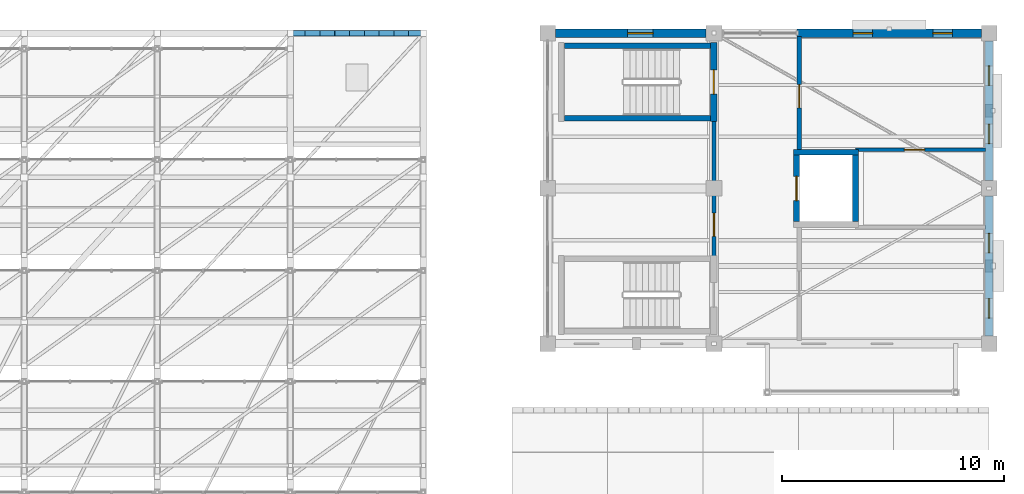
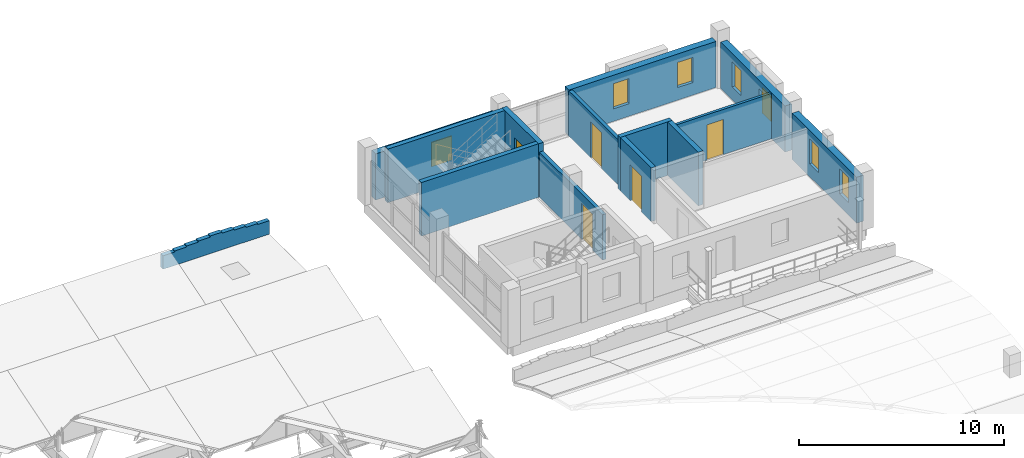
# One storey, part 38 of 48: 14 walls, 7 windows, 5 doors, 12 openings.
"""IFC4 building model written with IfcOpenShell, lengths in metres."""

from ifc_helpers import new_model, si_unit, direction, frame, frame_2d, origin, place, context, subcontext, project, spatial, polyline, rectangle, outline, extrude, material, layer, layer_set, type_object, element, fill, save


model = new_model("IFC4")

# Units and contexts
model_context = context("Model", 3, precision=1e-05, world=origin(), true_north=direction((0.0, 1.0)))
body_context = subcontext(model_context, "Body", "Model", "MODEL_VIEW")
ifc_project = project(units=[si_unit("LENGTHUNIT", "METRE"), si_unit("AREAUNIT", "SQUARE_METRE"), si_unit("VOLUMEUNIT", "CUBIC_METRE"), si_unit("PLANEANGLEUNIT", "RADIAN"), si_unit("MASSUNIT", "GRAM", prefix="KILO")], contexts=[model_context])

# Site, building, storey
site_placement = place(None, origin())
site = spatial("IfcSite", under=ifc_project, at=site_placement, CompositionType="ELEMENT")
building_placement = place(site_placement, origin())
building = spatial("IfcBuilding", under=site, at=building_placement, Name="Trellovar Central Fire Station", CompositionType="ELEMENT")
storey_placement = place(building_placement, frame((0.0, 0.0, 9.300048828125)))
storey = spatial("IfcBuildingStorey", under=building, at=storey_placement, Name="L03", CompositionType="ELEMENT", Elevation=9.300048828125)

# Wall, openings, windows
ifc_material_1 = material(Name="Catalan polychrome brickwork with insulated cavity", Category="masonry")
ifc_layer_1 = layer(ifc_material_1, 0.3798828125)
ifc_layer_set_1 = layer_set([ifc_layer_1], Name="Catalan polychrome brickwork with insulated cavity")
wall_type_1 = type_object("IfcWallType", Name="EW-2", PredefinedType="STANDARD", material=ifc_layer_set_1)
wall_1_placement = place(storey_placement, frame((160.64990234375, 73.0, 0.0), z_axis=(0.0, 0.0, 1.0), x_axis=(-1.0, 0.0, 0.0)))
wall_1 = element("IfcWall", 1, at=wall_1_placement, inside=storey, type_object=wall_type_1, Name="V2 L03 north hose shaft wall", PredefinedType="STANDARD", context=body_context, shape_type="SweptSolid", body=[
    extrude(rectangle(XDim=8.2998046875, YDim=0.3798828125, at=frame_2d((4.14990234375, 0.0))), origin(), (0.0, 0.0, 1.0), 2.75),
])
opening_1_placement = place(wall_1_placement, frame((1.300048828125, 0.0, 0.75)))
opening_1 = element("IfcOpeningElement", 2, at=opening_1_placement, cuts=wall_1, Name="Opening W-07", PredefinedType="OPENING", context=body_context, shape_type="SweptSolid", body=[
    extrude(rectangle(XDim=0.8798828125, YDim=1.5, at=frame_2d((0.43994140625, 0.75))), frame((0.0, 0.199951171875, 0.0), z_axis=(0.0, -1.0, 0.0), x_axis=(1.0, 0.0, 0.0)), (0.0, 0.0, 1.0), 0.39990234375),
])
opening_2_placement = place(wall_1_placement, frame((4.89990234375, 0.0, 0.75)))
opening_2 = element("IfcOpeningElement", 3, at=opening_2_placement, cuts=wall_1, Name="Opening W-07", PredefinedType="OPENING", context=body_context, shape_type="SweptSolid", body=[
    extrude(rectangle(XDim=0.8798828125, YDim=1.5, at=frame_2d((0.43994140625, 0.75))), frame((0.0, 0.199951171875, 0.0), z_axis=(0.0, -1.0, 0.0), x_axis=(1.0, 0.0, 0.0)), (0.0, 0.0, 1.0), 0.39990234375),
])
ifc_material_2 = material(Name="Thermally broken bronze anodized aluminum", Category="aluminium")
window_type_1 = type_object("IfcWindowType", Name="WIN-07", PartitioningType="SINGLE_PANEL", PredefinedType="WINDOW", material=ifc_material_2)
window_1_placement = place(opening_1_placement, origin())
window_1 = element("IfcWindow", 4, at=window_1_placement, inside=storey, type_object=window_type_1, Name="V2 L03 hose drying ventilation lancet A", OverallHeight=1.5, OverallWidth=0.8798828125, PartitioningType="SINGLE_PANEL", PredefinedType="WINDOW", context=body_context, shape_type="SweptSolid", body=[
    extrude(rectangle(XDim=0.8798828125, YDim=1.5, at=frame_2d((0.43994140625, 0.75))), frame((0.0, 0.030029296875, 0.0), z_axis=(0.0, -1.0, 0.0), x_axis=(1.0, 0.0, 0.0)), (0.0, 0.0, 1.0), 0.06005859375),
])
fill(opening_1, window_1)
window_2_placement = place(opening_2_placement, origin())
window_2 = element("IfcWindow", 5, at=window_2_placement, inside=storey, type_object=window_type_1, Name="V2 L03 hose drying ventilation lancet B", OverallHeight=1.5, OverallWidth=0.8798828125, PartitioningType="SINGLE_PANEL", PredefinedType="WINDOW", context=body_context, shape_type="SweptSolid", body=[
    extrude(rectangle(XDim=0.8798828125, YDim=1.5, at=frame_2d((0.43994140625, 0.75))), frame((0.0, 0.030029296875, 0.0), z_axis=(0.0, -1.0, 0.0), x_axis=(1.0, 0.0, 0.0)), (0.0, 0.0, 1.0), 0.06005859375),
])
fill(opening_2, window_2)

# Wall, opening, window
wall_2_placement = place(storey_placement, frame((148.25, 73.0, 0.0), z_axis=(0.0, 0.0, 1.0), x_axis=(-1.0, 0.0, 0.0)))
wall_2 = element("IfcWall", 6, at=wall_2_placement, inside=storey, type_object=wall_type_1, Name="V2 L03 north stair bay wall", PredefinedType="STANDARD", context=body_context, shape_type="SweptSolid", body=[
    extrude(rectangle(XDim=6.800048828125, YDim=0.3798828125, at=frame_2d((3.39990234375, 0.0))), origin(), (0.0, 0.0, 1.0), 2.75),
])
opening_3_placement = place(wall_2_placement, frame((2.39990234375, 0.0, 0.75)))
opening_3 = element("IfcOpeningElement", 7, at=opening_3_placement, cuts=wall_2, Name="Opening W-01", PredefinedType="OPENING", context=body_context, shape_type="SweptSolid", body=[
    extrude(rectangle(XDim=1.14990234375, YDim=1.449951171875, at=frame_2d((0.574951171875, 0.72509765625))), frame((0.0, 0.199951171875, 0.0), z_axis=(0.0, -1.0, 0.0), x_axis=(1.0, 0.0, 0.0)), (0.0, 0.0, 1.0), 0.39990234375),
])
ifc_material_3 = material(Name="Thermally broken bronze anodized aluminum", Category="aluminium")
window_type_2 = type_object("IfcWindowType", Name="WIN-01", PartitioningType="SINGLE_PANEL", PredefinedType="WINDOW", material=ifc_material_3)
window_3_placement = place(opening_3_placement, origin())
window_3 = element("IfcWindow", 8, at=window_3_placement, inside=storey, type_object=window_type_2, Name="L03 window W-01", OverallHeight=1.449951171875, OverallWidth=1.14990234375, PartitioningType="SINGLE_PANEL", PredefinedType="WINDOW", context=body_context, shape_type="SweptSolid", body=[
    extrude(rectangle(XDim=1.14990234375, YDim=1.449951171875, at=frame_2d((0.574951171875, 0.72509765625))), frame((0.0, 0.030029296875, 0.0), z_axis=(0.0, -1.0, 0.0), x_axis=(1.0, 0.0, 0.0)), (0.0, 0.0, 1.0), 0.06005859375),
])
fill(opening_3, window_3)

# Wall, openings, windows
wall_3_placement = place(storey_placement, frame((161.0, 59.35009765625, 0.0), z_axis=(0.0, 0.0, 1.0), x_axis=(0.0, 1.0, 0.0)))
wall_3 = element("IfcWall", 9, at=wall_3_placement, inside=storey, type_object=wall_type_1, Name="V2 L03 east avenue wall", PredefinedType="STANDARD", context=body_context, shape_type="SweptSolid", body=[
    extrude(rectangle(XDim=6.2998046875, YDim=0.3798828125, at=frame_2d((3.14990234375, 0.0))), origin(), (0.0, 0.0, 1.0), 2.75),
])
opening_4_placement = place(wall_3_placement, frame((0.800048828125, 0.0, 0.75)))
opening_4 = element("IfcOpeningElement", 10, at=opening_4_placement, cuts=wall_3, Name="Opening W-07", PredefinedType="OPENING", context=body_context, shape_type="SweptSolid", body=[
    extrude(rectangle(XDim=0.8798828125, YDim=1.5, at=frame_2d((0.43994140625, 0.75))), frame((0.0, 0.199951171875, 0.0), z_axis=(0.0, -1.0, 0.0), x_axis=(1.0, 0.0, 0.0)), (0.0, 0.0, 1.0), 0.39990234375),
])
opening_5_placement = place(wall_3_placement, frame((3.75, 0.0, 0.75)))
opening_5 = element("IfcOpeningElement", 11, at=opening_5_placement, cuts=wall_3, Name="Opening W-07", PredefinedType="OPENING", context=body_context, shape_type="SweptSolid", body=[
    extrude(rectangle(XDim=0.8798828125, YDim=1.5, at=frame_2d((0.43994140625, 0.75))), frame((0.0, 0.199951171875, 0.0), z_axis=(0.0, -1.0, 0.0), x_axis=(1.0, 0.0, 0.0)), (0.0, 0.0, 1.0), 0.39990234375),
])
window_4_placement = place(opening_4_placement, origin())
window_4 = element("IfcWindow", 12, at=window_4_placement, inside=storey, type_object=window_type_1, Name="L03 window W-07", OverallHeight=1.5, OverallWidth=0.8798828125, PartitioningType="SINGLE_PANEL", PredefinedType="WINDOW", context=body_context, shape_type="SweptSolid", body=[
    extrude(rectangle(XDim=0.8798828125, YDim=1.5, at=frame_2d((0.43994140625, 0.75))), frame((0.0, 0.030029296875, 0.0), z_axis=(0.0, -1.0, 0.0), x_axis=(1.0, 0.0, 0.0)), (0.0, 0.0, 1.0), 0.06005859375),
])
fill(opening_4, window_4)
window_5_placement = place(opening_5_placement, origin())
window_5 = element("IfcWindow", 13, at=window_5_placement, inside=storey, type_object=window_type_1, Name="L03 window W-07", OverallHeight=1.5, OverallWidth=0.8798828125, PartitioningType="SINGLE_PANEL", PredefinedType="WINDOW", context=body_context, shape_type="SweptSolid", body=[
    extrude(rectangle(XDim=0.8798828125, YDim=1.5, at=frame_2d((0.43994140625, 0.75))), frame((0.0, 0.030029296875, 0.0), z_axis=(0.0, -1.0, 0.0), x_axis=(1.0, 0.0, 0.0)), (0.0, 0.0, 1.0), 0.06005859375),
])
fill(opening_5, window_5)

wall_4_placement = place(storey_placement, frame((161.0, 66.35009765625, 0.0), z_axis=(0.0, 0.0, 1.0), x_axis=(0.0, 1.0, 0.0)))
wall_4 = element("IfcWall", 14, at=wall_4_placement, inside=storey, type_object=wall_type_1, Name="V2 L03 east avenue wall", PredefinedType="STANDARD", context=body_context, shape_type="SweptSolid", body=[
    extrude(rectangle(XDim=6.2998046875, YDim=0.3798828125, at=frame_2d((3.14990234375, 0.0))), origin(), (0.0, 0.0, 1.0), 2.75),
])
opening_6_placement = place(wall_4_placement, frame((1.669921875, 0.0, 0.75)))
opening_6 = element("IfcOpeningElement", 15, at=opening_6_placement, cuts=wall_4, Name="Opening W-07", PredefinedType="OPENING", context=body_context, shape_type="SweptSolid", body=[
    extrude(rectangle(XDim=0.8798828125, YDim=1.5, at=frame_2d((0.43994140625, 0.75))), frame((0.0, 0.199951171875, 0.0), z_axis=(0.0, -1.0, 0.0), x_axis=(1.0, 0.0, 0.0)), (0.0, 0.0, 1.0), 0.39990234375),
])
opening_7_placement = place(wall_4_placement, frame((4.300048828125, 0.0, 0.75)))
opening_7 = element("IfcOpeningElement", 16, at=opening_7_placement, cuts=wall_4, Name="Opening W-07", PredefinedType="OPENING", context=body_context, shape_type="SweptSolid", body=[
    extrude(rectangle(XDim=0.8798828125, YDim=1.5, at=frame_2d((0.43994140625, 0.75))), frame((0.0, 0.199951171875, 0.0), z_axis=(0.0, -1.0, 0.0), x_axis=(1.0, 0.0, 0.0)), (0.0, 0.0, 1.0), 0.39990234375),
])
window_6_placement = place(opening_6_placement, origin())
window_6 = element("IfcWindow", 17, at=window_6_placement, inside=storey, type_object=window_type_1, Name="L03 window W-07", OverallHeight=1.5, OverallWidth=0.8798828125, PartitioningType="SINGLE_PANEL", PredefinedType="WINDOW", context=body_context, shape_type="SweptSolid", body=[
    extrude(rectangle(XDim=0.8798828125, YDim=1.5, at=frame_2d((0.43994140625, 0.75))), frame((0.0, 0.030029296875, 0.0), z_axis=(0.0, -1.0, 0.0), x_axis=(1.0, 0.0, 0.0)), (0.0, 0.0, 1.0), 0.06005859375),
])
fill(opening_6, window_6)
window_7_placement = place(opening_7_placement, origin())
window_7 = element("IfcWindow", 18, at=window_7_placement, inside=storey, type_object=window_type_1, Name="L03 window W-07", OverallHeight=1.5, OverallWidth=0.8798828125, PartitioningType="SINGLE_PANEL", PredefinedType="WINDOW", context=body_context, shape_type="SweptSolid", body=[
    extrude(rectangle(XDim=0.8798828125, YDim=1.5, at=frame_2d((0.43994140625, 0.75))), frame((0.0, 0.030029296875, 0.0), z_axis=(0.0, -1.0, 0.0), x_axis=(1.0, 0.0, 0.0)), (0.0, 0.0, 1.0), 0.06005859375),
])
fill(opening_7, window_7)

# Wall
ifc_material_4 = material(Name="Glazed ceramic trencadis and terracotta panel", Category="masonry")
ifc_layer_2 = layer(ifc_material_4, 0.239990234375)
ifc_layer_set_2 = layer_set([ifc_layer_2], Name="Glazed ceramic trencadis and terracotta panel")
wall_type_2 = type_object("IfcWallType", Name="PAR-2", PredefinedType="PARAPET", material=ifc_layer_set_2)
wall_5_placement = place(storey_placement, frame((129.5, 73.0, 0.02001953125), z_axis=(0.0, 0.0, 1.0), x_axis=(1.0, 0.0, 0.0)))
element("IfcWall", 19, at=wall_5_placement, inside=storey, type_object=wall_type_2, Name="L03 Catalan stepped parapet", PredefinedType="PARAPET", context=body_context, shape_type="SweptSolid", body=[
    extrude(outline(polyline([(0.0, 0.0), (6.0, 0.0), (6.0, 0.800048828125), (5.334228515625, 0.800048828125), (5.333251953125, 0.862548828125), (4.667724609375, 0.862548828125), (4.666748046875, 0.925048828125), (4.0009765625, 0.925048828125), (4.0, 0.987548828125), (3.334228515625, 0.987548828125), (3.333251953125, 1.050048828125), (2.667724609375, 1.050048828125), (2.666748046875, 0.987548828125), (2.0009765625, 0.987548828125), (2.0, 0.925048828125), (1.334228515625, 0.925048828125), (1.333251953125, 0.862548828125), (0.667724609375, 0.862548828125), (0.666748046875, 0.800048828125), (0.0, 0.800048828125), (0.0, 0.0)])), frame((0.0, 0.1201171875, 0.0), z_axis=(0.0, -1.0, 0.0), x_axis=(1.0, 0.0, 0.0)), (0.0, 0.0, 1.0), 0.239990234375),
])

# Wall, opening, door
ifc_material_5 = material(Name="Acoustic concrete masonry unit", Category="masonry")
ifc_layer_3 = layer(ifc_material_5, 0.199951171875)
ifc_layer_set_3 = layer_set([ifc_layer_3], Name="Acoustic concrete masonry unit")
wall_type_3 = type_object("IfcWallType", Name="PT-1", PredefinedType="PARTITIONING", material=ifc_layer_set_3)
wall_6_placement = place(storey_placement, frame((148.60009765625, 62.840087890625, 0.0), z_axis=(0.0, 0.0, 1.0), x_axis=(0.0, 1.0, 0.0)))
wall_6 = element("IfcWall", 20, at=wall_6_placement, inside=storey, type_object=wall_type_3, Name="V2 L03 west lab corridor wall", PredefinedType="PARTITIONING", context=body_context, shape_type="SweptSolid", body=[
    extrude(rectangle(XDim=6.31982421875, YDim=0.199951171875, at=frame_2d((3.159912109375, 0.0))), origin(), (0.0, 0.0, 1.0), 2.699951171875),
])
opening_8_placement = place(wall_6_placement, frame((1.0, 0.0, 0.0)))
opening_8 = element("IfcOpeningElement", 21, at=opening_8_placement, cuts=wall_6, Name="Opening ID-5", PredefinedType="OPENING", context=body_context, shape_type="SweptSolid", body=[
    extrude(rectangle(XDim=1.050048828125, YDim=2.139892578125, at=frame_2d((0.52490234375, 1.06982421875))), frame((0.0, 0.10986328125, 0.0), z_axis=(0.0, -1.0, 0.0), x_axis=(1.0, 0.0, 0.0)), (0.0, 0.0, 1.0), 0.219970703125),
])
ifc_material_6 = material(Name="Hollow galvanized steel with acoustic core", Category="steel")
door_type_1 = type_object("IfcDoorType", Name="DR-INT5", OperationType="SINGLE_SWING_LEFT", PredefinedType="DOOR", material=ifc_material_6)
door_1_placement = place(opening_8_placement, origin())
door_1 = element("IfcDoor", 22, at=door_1_placement, inside=storey, type_object=door_type_1, Name="V2 L03 west training lab door", OperationType="SINGLE_SWING_LEFT", OverallHeight=2.139892578125, OverallWidth=1.050048828125, PredefinedType="DOOR", context=body_context, shape_type="SweptSolid", body=[
    extrude(rectangle(XDim=1.050048828125, YDim=2.139892578125, at=frame_2d((0.52490234375, 1.06982421875))), frame((0.0, 0.02490234375, 0.0), z_axis=(0.0, -1.0, 0.0), x_axis=(1.0, 0.0, 0.0)), (0.0, 0.0, 1.0), 0.050048828125),
])
fill(opening_8, door_1)

wall_7_placement = place(storey_placement, frame((152.449951171875, 67.6298828125, 0.0), z_axis=(0.0, 0.0, 1.0), x_axis=(0.0, 1.0, 0.0)))
wall_7 = element("IfcWall", 23, at=wall_7_placement, inside=storey, type_object=wall_type_3, Name="V2 L03 north hose gallery wall", PredefinedType="PARTITIONING", context=body_context, shape_type="SweptSolid", body=[
    extrude(rectangle(XDim=5.22021484375, YDim=0.199951171875, at=frame_2d((2.610107421875, 0.0))), origin(), (0.0, 0.0, 1.0), 2.699951171875),
])
opening_9_placement = place(wall_7_placement, frame((2.0, 0.0, 0.0)))
opening_9 = element("IfcOpeningElement", 24, at=opening_9_placement, cuts=wall_7, Name="Opening ID-5", PredefinedType="OPENING", context=body_context, shape_type="SweptSolid", body=[
    extrude(rectangle(XDim=1.050048828125, YDim=2.139892578125, at=frame_2d((0.52490234375, 1.06982421875))), frame((0.0, 0.10986328125, 0.0), z_axis=(0.0, -1.0, 0.0), x_axis=(1.0, 0.0, 0.0)), (0.0, 0.0, 1.0), 0.219970703125),
])
door_2_placement = place(opening_9_placement, origin())
door_2 = element("IfcDoor", 25, at=door_2_placement, inside=storey, type_object=door_type_1, Name="V2 L03 north hose gallery door", OperationType="SINGLE_SWING_LEFT", OverallHeight=2.139892578125, OverallWidth=1.050048828125, PredefinedType="DOOR", context=body_context, shape_type="SweptSolid", body=[
    extrude(rectangle(XDim=1.050048828125, YDim=2.139892578125, at=frame_2d((0.52490234375, 1.06982421875))), frame((0.0, 0.02490234375, 0.0), z_axis=(0.0, -1.0, 0.0), x_axis=(1.0, 0.0, 0.0)), (0.0, 0.0, 1.0), 0.050048828125),
])
fill(opening_9, door_2)

ifc_material_7 = material(Name="Fire-rated acoustic gypsum stud partition", Category="gypsum")
ifc_layer_4 = layer(ifc_material_7, 0.14990234375)
ifc_layer_set_4 = layer_set([ifc_layer_4], Name="Fire-rated acoustic gypsum stud partition")
wall_type_4 = type_object("IfcWallType", Name="PT-6", PredefinedType="PARTITIONING", material=ifc_layer_set_4)
wall_8_placement = place(storey_placement, frame((154.97998046875, 67.75, 0.0), z_axis=(0.0, 0.0, 1.0), x_axis=(1.0, 0.0, 0.0)))
wall_8 = element("IfcWall", 26, at=wall_8_placement, inside=storey, type_object=wall_type_4, Name="V2 L03 restroom north wall", PredefinedType="PARTITIONING", context=body_context, shape_type="SweptSolid", body=[
    extrude(rectangle(XDim=5.8701171875, YDim=0.14990234375, at=frame_2d((2.93505859375, 0.0))), origin(), (0.0, 0.0, 1.0), 2.699951171875),
])
opening_10_placement = place(wall_8_placement, frame((2.199951171875, 0.0, 0.0)))
opening_10 = element("IfcOpeningElement", 27, at=opening_10_placement, cuts=wall_8, Name="Opening ID-6", PredefinedType="OPENING", context=body_context, shape_type="SweptSolid", body=[
    extrude(rectangle(XDim=0.919921875, YDim=2.10009765625, at=frame_2d((0.4599609375, 1.050048828125))), frame((0.0, 0.0849609375, 0.0), z_axis=(0.0, -1.0, 0.0), x_axis=(1.0, 0.0, 0.0)), (0.0, 0.0, 1.0), 0.169921875),
])
ifc_material_8 = material(Name="Solid core acoustic white oak veneer", Category="wood")
door_type_2 = type_object("IfcDoorType", Name="DR-INT6", OperationType="SINGLE_SWING_LEFT", PredefinedType="DOOR", material=ifc_material_8)
door_3_placement = place(opening_10_placement, origin())
door_3 = element("IfcDoor", 28, at=door_3_placement, inside=storey, type_object=door_type_2, Name="V2 L03 restroom door", OperationType="SINGLE_SWING_RIGHT", OverallHeight=2.10009765625, OverallWidth=0.919921875, PredefinedType="DOOR", context=body_context, shape_type="SweptSolid", body=[
    extrude(rectangle(XDim=0.919921875, YDim=2.10009765625, at=frame_2d((0.4599609375, 1.050048828125))), frame((0.0, 0.02490234375, 0.0), z_axis=(0.0, -1.0, 0.0), x_axis=(1.0, 0.0, 0.0)), (0.0, 0.0, 1.0), 0.050048828125),
])
fill(opening_10, door_3)

ifc_material_9 = material(Name="Concrete C40/50", Category="concrete")
ifc_layer_5 = layer(ifc_material_9, 0.280029296875)
ifc_layer_set_5 = layer_set([ifc_layer_5], Name="Concrete C40/50")
wall_type_5 = type_object("IfcWallType", Name="SW-1", PredefinedType="SHEAR", material=ifc_layer_set_5)
wall_9_placement = place(storey_placement, frame((148.590087890625, 72.580078125, 0.0), z_axis=(0.0, 0.0, 1.0), x_axis=(0.0, -1.0, 0.0)))
wall_9 = element("IfcWall", 29, at=wall_9_placement, inside=storey, type_object=wall_type_5, Name="Stair ST-06 L03 front corridor wall", PredefinedType="SHEAR", context=body_context, shape_type="SweptSolid", body=[
    extrude(rectangle(XDim=3.56005859375, YDim=0.280029296875, at=frame_2d((1.780029296875, 0.0))), origin(), (0.0, 0.0, 1.0), 3.199951171875),
])
opening_11_placement = place(wall_9_placement, frame((1.22998046875, 0.0, 0.0)))
opening_11 = element("IfcOpeningElement", 30, at=opening_11_placement, cuts=wall_9, Name="Opening SD-2", PredefinedType="OPENING", context=body_context, shape_type="SweptSolid", body=[
    extrude(rectangle(XDim=1.10009765625, YDim=2.14990234375, at=frame_2d((0.550048828125, 1.074951171875))), frame((0.0, 0.14990234375, 0.0), z_axis=(0.0, -1.0, 0.0), x_axis=(1.0, 0.0, 0.0)), (0.0, 0.0, 1.0), 0.300048828125),
])
ifc_material_10 = material(Name="Hollow galvanized steel with acoustic core", Category="steel")
door_type_3 = type_object("IfcDoorType", Name="DR-STR2", OperationType="SINGLE_SWING_LEFT", PredefinedType="DOOR", material=ifc_material_10)
door_4_placement = place(opening_11_placement, origin())
door_4 = element("IfcDoor", 31, at=door_4_placement, inside=storey, type_object=door_type_3, Name="Stair ST-06 L03 fire door", OperationType="SINGLE_SWING_LEFT", OverallHeight=2.14990234375, OverallWidth=1.10009765625, PredefinedType="DOOR", context=body_context, shape_type="SweptSolid", body=[
    extrude(rectangle(XDim=1.10009765625, YDim=2.14990234375, at=frame_2d((0.550048828125, 1.074951171875))), frame((0.0, 0.02490234375, 0.0), z_axis=(0.0, -1.0, 0.0), x_axis=(1.0, 0.0, 0.0)), (0.0, 0.0, 1.0), 0.050048828125),
])
fill(opening_11, door_4)

# Walls
ifc_material_11 = material(Name="Concrete C40/50", Category="concrete")
ifc_layer_6 = layer(ifc_material_11, 0.25)
ifc_layer_set_6 = layer_set([ifc_layer_6], Name="Concrete C40/50")
wall_type_6 = type_object("IfcWallType", Name="SW-2", PredefinedType="SHEAR", material=ifc_layer_set_6)
for number, where, z_axis, x_axis, name in (
    (32, (148.449951171875, 72.43994140625, 0.0), (0.0, 0.0, 1.0), (-1.0, 0.0, 0.0), "Stair ST-06 L03 left wall"),
    (33, (141.85009765625, 69.159912109375, 0.0), (0.0, 0.0, 1.0), (1.0, 0.0, 0.0), "Stair ST-06 L03 right wall"),
):
    element("IfcWall", number, at=place(storey_placement, frame(where, z_axis=z_axis, x_axis=x_axis)), inside=storey, type_object=wall_type_6, Name=name, PredefinedType="SHEAR", context=body_context, shape_type="SweptSolid", body=[
        extrude(rectangle(XDim=6.599853515625, YDim=0.25, at=frame_2d((3.2998046875, 0.0))), origin(), (0.0, 0.0, 1.0), 3.199951171875),
    ])
ifc_material_12 = material(Name="Concrete C40/50", Category="concrete")
ifc_layer_7 = layer(ifc_material_12, 0.260009765625)
ifc_layer_set_7 = layer_set([ifc_layer_7], Name="Concrete C40/50")
wall_type_7 = type_object("IfcWallType", Name="SW-4", PredefinedType="SHEAR", material=ifc_layer_set_7)
wall_10_placement = place(storey_placement, frame((155.110107421875, 67.6298828125, 0.0), z_axis=(0.0, 0.0, 1.0), x_axis=(-1.0, 0.0, 0.0)))
element("IfcWall", 34, at=wall_10_placement, inside=storey, type_object=wall_type_7, Name="Lift EL-04 L03 N wall", PredefinedType="SHEAR", context=body_context, shape_type="SweptSolid", body=[
    extrude(rectangle(XDim=2.920166015625, YDim=0.260009765625, at=frame_2d((1.4599609375, 0.0))), origin(), (0.0, 0.0, 1.0), 3.199951171875),
])

# Wall, opening, door
wall_11_placement = place(storey_placement, frame((152.320068359375, 67.5, 0.0), z_axis=(0.0, 0.0, 1.0), x_axis=(0.0, -1.0, 0.0)))
wall_11 = element("IfcWall", 35, at=wall_11_placement, inside=storey, type_object=wall_type_7, Name="Lift EL-04 L03 W wall", PredefinedType="SHEAR", context=body_context, shape_type="SweptSolid", body=[
    extrude(rectangle(XDim=3.0, YDim=0.260009765625, at=frame_2d((1.5, 0.0))), origin(), (0.0, 0.0, 1.0), 3.199951171875),
])
opening_12_placement = place(wall_11_placement, frame((0.949951171875, 0.0, 0.0)))
opening_12 = element("IfcOpeningElement", 36, at=opening_12_placement, cuts=wall_11, Name="Opening LD-1", PredefinedType="OPENING", context=body_context, shape_type="SweptSolid", body=[
    extrude(rectangle(XDim=1.10009765625, YDim=2.14990234375, at=frame_2d((0.550048828125, 1.074951171875))), frame((0.0, 0.139892578125, 0.0), z_axis=(0.0, -1.0, 0.0), x_axis=(1.0, 0.0, 0.0)), (0.0, 0.0, 1.0), 0.280029296875),
])
ifc_material_13 = material(Name="Brushed stainless steel", Category="steel")
door_type_4 = type_object("IfcDoorType", Name="DR-LFT1", OperationType="SLIDING_TO_LEFT", PredefinedType="DOOR", material=ifc_material_13)
door_5_placement = place(opening_12_placement, origin())
door_5 = element("IfcDoor", 37, at=door_5_placement, inside=storey, type_object=door_type_4, Name="Elevator EL-04 L03 sliding landing door", OperationType="SLIDING_TO_LEFT", OverallHeight=2.14990234375, OverallWidth=1.10009765625, PredefinedType="DOOR", context=body_context, shape_type="SweptSolid", body=[
    extrude(rectangle(XDim=1.10009765625, YDim=2.14990234375, at=frame_2d((0.550048828125, 1.074951171875))), frame((0.0, 0.02490234375, 0.0), z_axis=(0.0, -1.0, 0.0), x_axis=(1.0, 0.0, 0.0)), (0.0, 0.0, 1.0), 0.050048828125),
])
fill(opening_12, door_5)

# Wall
wall_12_placement = place(storey_placement, frame((154.97998046875, 64.5, 0.0), z_axis=(0.0, 0.0, 1.0), x_axis=(0.0, 1.0, 0.0)))
element("IfcWall", 38, at=wall_12_placement, inside=storey, type_object=wall_type_7, Name="Lift EL-04 L03 E wall", PredefinedType="SHEAR", context=body_context, shape_type="SweptSolid", body=[
    extrude(rectangle(XDim=3.0, YDim=0.260009765625, at=frame_2d((1.5, 0.0))), origin(), (0.0, 0.0, 1.0), 3.199951171875),
])

save(model, "model.ifc")
